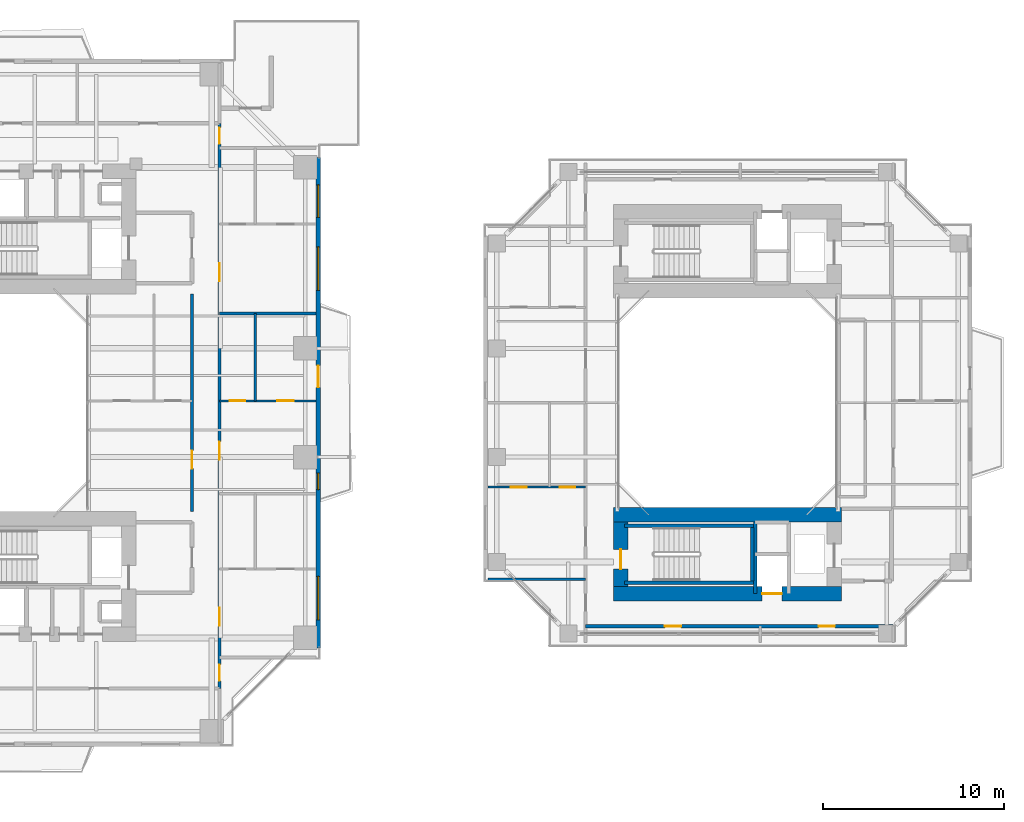
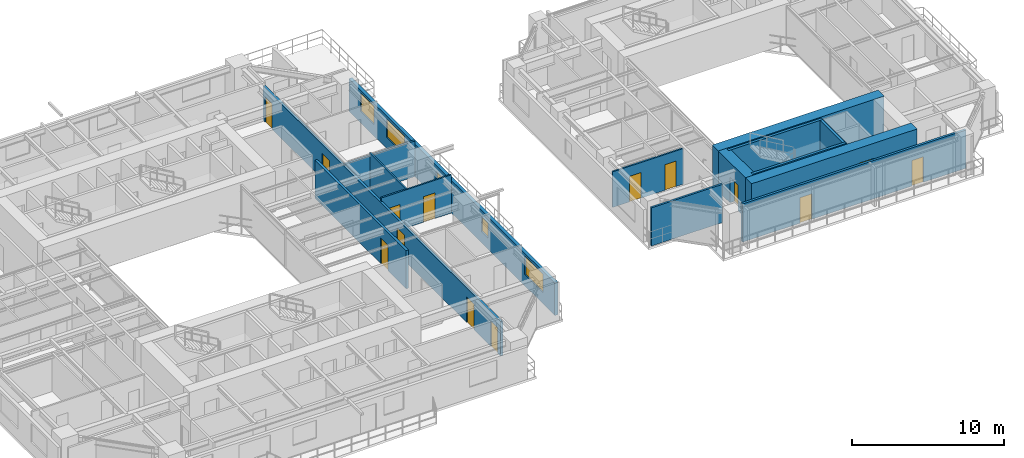
# One storey, part 15 of 23: 16 walls, 15 doors, 4 windows, 19 openings.
"""IFC4 building model written with IfcOpenShell, lengths in metres."""

from ifc_helpers import new_model, si_unit, direction, frame, frame_2d, origin, place, context, subcontext, project, spatial, rectangle, extrude, source, transform, mapped, material, layer, layer_set, type_object, element, fill, save


model = new_model("IFC4")

# Units and contexts
model_context = context("Model", 3, precision=1e-05, world=origin(), true_north=direction((0.0, 1.0)))
body_context = subcontext(model_context, "Body", "Model", "MODEL_VIEW")
ifc_project = project(units=[si_unit("LENGTHUNIT", "METRE"), si_unit("AREAUNIT", "SQUARE_METRE"), si_unit("VOLUMEUNIT", "CUBIC_METRE"), si_unit("PLANEANGLEUNIT", "RADIAN"), si_unit("MASSUNIT", "GRAM", prefix="KILO"), si_unit("THERMODYNAMICTEMPERATUREUNIT", "KELVIN"), si_unit("POWERUNIT", "WATT")], contexts=[model_context])

# Site, building, storey
site_placement = place(None, origin())
site = spatial("IfcSite", under=ifc_project, at=site_placement, CompositionType="ELEMENT")
building_placement = place(site_placement, origin())
building = spatial("IfcBuilding", under=site, at=building_placement, Name="Qiaomeng Ring Towers", CompositionType="ELEMENT")
storey_placement = place(building_placement, frame((0.0, 0.0, 32.75)))
storey = spatial("IfcBuildingStorey", under=building, at=storey_placement, Name="L08", CompositionType="ELEMENT", Elevation=32.75)

# Wall, openings, door, windows
ifc_material_1 = material(Name="Precast concrete C40", Category="concrete")
ifc_layer_1 = layer(ifc_material_1, 0.25, Name="Precast concrete C40")
ifc_layer_set_1 = layer_set([ifc_layer_1], Name="Precast concrete C40")
wall_type_1 = type_object("IfcWallType", Name="ARC-WL-EW1", PredefinedType="STANDARD", material=ifc_layer_set_1)
wall_1_placement = place(storey_placement, frame((37.875, 9.449951171875, 0.0), z_axis=(0.0, 0.0, 1.0), x_axis=(0.0, 1.0, 0.0)))
wall_1 = element("IfcWall", 1, at=wall_1_placement, inside=storey, type_object=wall_type_1, Name="L08 Tower 1 E Exterior Wall", PredefinedType="STANDARD", context=body_context, shape_type="SweptSolid", body=[
    extrude(rectangle(XDim=27.10009765625, YDim=0.25, at=frame_2d((13.550048828125, 0.0))), origin(), (0.0, 0.0, 1.0), 2.610107421875),
])
opening_1_placement = place(wall_1_placement, frame((14.39990234375, 0.0, 0.0)))
opening_1 = element("IfcOpeningElement", 2, at=opening_1_placement, cuts=wall_1, Name="Opening BD1", PredefinedType="OPENING", context=body_context, shape_type="SweptSolid", body=[
    extrude(rectangle(XDim=1.199951171875, YDim=2.10009765625, at=frame_2d((0.60009765625, 1.050048828125))), frame((0.0, 0.135009765625, 0.0), z_axis=(0.0, -1.0, 0.0), x_axis=(1.0, 0.0, 0.0)), (0.0, 0.0, 1.0), 0.27001953125),
])
opening_2_placement = place(wall_1_placement, frame((1.552490234375, 0.0, 0.89990234375)))
opening_2 = element("IfcOpeningElement", 3, at=opening_2_placement, cuts=wall_1, Name="Opening WN6", PredefinedType="OPENING", context=body_context, shape_type="SweptSolid", body=[
    extrude(rectangle(XDim=2.39990234375, YDim=1.5, at=frame_2d((1.199951171875, 0.75))), frame((0.0, 0.135009765625, 0.0), z_axis=(0.0, -1.0, 0.0), x_axis=(1.0, 0.0, 0.0)), (0.0, 0.0, 1.0), 0.27001953125),
])
opening_3_placement = place(wall_1_placement, frame((23.78759765625, 0.0, 0.89990234375)))
opening_3 = element("IfcOpeningElement", 4, at=opening_3_placement, cuts=wall_1, Name="Opening WN1", PredefinedType="OPENING", context=body_context, shape_type="SweptSolid", body=[
    extrude(rectangle(XDim=1.800048828125, YDim=1.5, at=frame_2d((0.89990234375, 0.75))), frame((0.0, 0.135009765625, 0.0), z_axis=(0.0, -1.0, 0.0), x_axis=(1.0, 0.0, 0.0)), (0.0, 0.0, 1.0), 0.27001953125),
])
opening_4_placement = place(wall_1_placement, frame((19.757568359375, 0.0, 0.89990234375)))
opening_4 = element("IfcOpeningElement", 5, at=opening_4_placement, cuts=wall_1, Name="Opening WN6", PredefinedType="OPENING", context=body_context, shape_type="SweptSolid", body=[
    extrude(rectangle(XDim=2.39990234375, YDim=1.5, at=frame_2d((1.199951171875, 0.75))), frame((0.0, 0.135009765625, 0.0), z_axis=(0.0, -1.0, 0.0), x_axis=(1.0, 0.0, 0.0)), (0.0, 0.0, 1.0), 0.27001953125),
])
opening_5_placement = place(wall_1_placement, frame((8.7548828125, 0.0, 0.89990234375)))
opening_5 = element("IfcOpeningElement", 6, at=opening_5_placement, cuts=wall_1, Name="Opening WN5", PredefinedType="OPENING", context=body_context, shape_type="SweptSolid", body=[
    extrude(rectangle(XDim=0.89990234375, YDim=1.199951171875, at=frame_2d((0.449951171875, 0.60009765625))), frame((0.0, 0.135009765625, 0.0), z_axis=(0.0, -1.0, 0.0), x_axis=(1.0, 0.0, 0.0)), (0.0, 0.0, 1.0), 0.27001953125),
])
ifc_material_2 = material(Name="Low-E dark-grey laminated double glazing", Category="glass")
door_type_1 = type_object("IfcDoorType", Name="ARC-DR-BD1", OperationType="NOTDEFINED", PredefinedType="DOOR", material=ifc_material_2)
shared_shape_1 = source(origin(), body_context, "Body", "SweptSolid", [
    extrude(rectangle(XDim=1.199951171875, YDim=2.10009765625, at=frame_2d((0.60009765625, 1.050048828125))), frame((0.0, 0.02490234375, 0.0), z_axis=(0.0, -1.0, 0.0), x_axis=(1.0, 0.0, 0.0)), (0.0, 0.0, 1.0), 0.050048828125),
])
door_1_placement = place(opening_1_placement, origin())
door_1 = element("IfcDoor", 7, at=door_1_placement, inside=storey, type_object=door_type_1, Name="L08 E Balcony Glazed Door", OperationType="SINGLE_SWING_LEFT", OverallHeight=2.10009765625, OverallWidth=1.199951171875, PredefinedType="DOOR", context=body_context, shape_type="MappedRepresentation", body=[
    mapped(shared_shape_1, transform((0.0, 0.0, 0.0), x_axis=(1.0, 0.0, 0.0), y_axis=(0.0, 1.0, 0.0), z_axis=(0.0, 0.0, 1.0), scale=1.0)),
])
fill(opening_1, door_1)
window_type_1 = type_object("IfcWindowType", Name="ARC-WN-6", PartitioningType="TRIPLE_PANEL_VERTICAL", PredefinedType="WINDOW", material=ifc_material_2)
shared_shape_2 = source(origin(), body_context, "Body", "SweptSolid", [
    extrude(rectangle(XDim=2.39990234375, YDim=1.5, at=frame_2d((1.199951171875, 0.75))), frame((0.0, 0.030029296875, 0.0), z_axis=(0.0, -1.0, 0.0), x_axis=(1.0, 0.0, 0.0)), (0.0, 0.0, 1.0), 0.06005859375),
])
window_1_placement = place(opening_2_placement, origin())
window_1 = element("IfcWindow", 8, at=window_1_placement, inside=storey, type_object=window_type_1, Name="L08 Exterior Window WN6", OverallHeight=1.5, OverallWidth=2.39990234375, PartitioningType="TRIPLE_PANEL_VERTICAL", PredefinedType="WINDOW", context=body_context, shape_type="MappedRepresentation", body=[
    mapped(shared_shape_2, transform((0.0, 0.0, 0.0), x_axis=(1.0, 0.0, 0.0), y_axis=(0.0, 1.0, 0.0), z_axis=(0.0, 0.0, 1.0), scale=1.0)),
])
fill(opening_2, window_1)
window_2_placement = place(opening_4_placement, origin())
window_2 = element("IfcWindow", 9, at=window_2_placement, inside=storey, type_object=window_type_1, Name="L08 Exterior Window WN6", OverallHeight=1.5, OverallWidth=2.39990234375, PartitioningType="TRIPLE_PANEL_VERTICAL", PredefinedType="WINDOW", context=body_context, shape_type="MappedRepresentation", body=[
    mapped(shared_shape_2, transform((0.0, 0.0, 0.0), x_axis=(1.0, 0.0, 0.0), y_axis=(0.0, 1.0, 0.0), z_axis=(0.0, 0.0, 1.0), scale=1.0)),
])
fill(opening_4, window_2)
window_type_2 = type_object("IfcWindowType", Name="ARC-WN-1", PartitioningType="DOUBLE_PANEL_VERTICAL", PredefinedType="WINDOW", material=ifc_material_2)
shared_shape_3 = source(origin(), body_context, "Body", "SweptSolid", [
    extrude(rectangle(XDim=1.800048828125, YDim=1.5, at=frame_2d((0.89990234375, 0.75))), frame((0.0, 0.030029296875, 0.0), z_axis=(0.0, -1.0, 0.0), x_axis=(1.0, 0.0, 0.0)), (0.0, 0.0, 1.0), 0.06005859375),
])
window_3_placement = place(opening_3_placement, origin())
window_3 = element("IfcWindow", 10, at=window_3_placement, inside=storey, type_object=window_type_2, Name="L08 Exterior Window WN4", OverallHeight=1.5, OverallWidth=1.800048828125, PartitioningType="TRIPLE_PANEL_VERTICAL", PredefinedType="WINDOW", context=body_context, shape_type="MappedRepresentation", body=[
    mapped(shared_shape_3, transform((0.0, 0.0, 0.0), x_axis=(1.0, 0.0, 0.0), y_axis=(0.0, 1.0, 0.0), z_axis=(0.0, 0.0, 1.0), scale=1.0)),
])
fill(opening_3, window_3)
window_type_3 = type_object("IfcWindowType", Name="ARC-WN-5", PartitioningType="SINGLE_PANEL", PredefinedType="WINDOW", material=ifc_material_2)
shared_shape_4 = source(origin(), body_context, "Body", "SweptSolid", [
    extrude(rectangle(XDim=0.89990234375, YDim=1.199951171875, at=frame_2d((0.449951171875, 0.60009765625))), frame((0.0, 0.030029296875, 0.0), z_axis=(0.0, -1.0, 0.0), x_axis=(1.0, 0.0, 0.0)), (0.0, 0.0, 1.0), 0.06005859375),
])
window_4_placement = place(opening_5_placement, origin())
window_4 = element("IfcWindow", 11, at=window_4_placement, inside=storey, type_object=window_type_3, Name="L08 Exterior Window WN5", OverallHeight=1.199951171875, OverallWidth=0.89990234375, PartitioningType="SINGLE_PANEL", PredefinedType="WINDOW", context=body_context, shape_type="MappedRepresentation", body=[
    mapped(shared_shape_4, transform((0.0, 0.0, 0.0), x_axis=(1.0, 0.0, 0.0), y_axis=(0.0, 1.0, 0.0), z_axis=(0.0, 0.0, 1.0), scale=1.0)),
])
fill(opening_5, window_4)

# Wall, openings, doors
ifc_material_3 = material(Name="Autoclaved aerated concrete block", Category="concrete")
ifc_layer_2 = layer(ifc_material_3, 0.179931640625, Name="Autoclaved aerated concrete block")
ifc_layer_set_2 = layer_set([ifc_layer_2], Name="Autoclaved aerated concrete block")
wall_type_2 = type_object("IfcWallType", Name="ARC-WL-PW2", PredefinedType="PARTITIONING", material=ifc_layer_set_2)
wall_2_placement = place(storey_placement, frame((32.419921875, 7.2099609375, 0.0), z_axis=(0.0, 0.0, 1.0), x_axis=(0.0, 1.0, 0.0)))
wall_2 = element("IfcWall", 12, at=wall_2_placement, inside=storey, type_object=wall_type_2, Name="L08 Interior Wall PW2", PredefinedType="PARTITIONING", context=body_context, shape_type="SweptSolid", body=[
    extrude(rectangle(XDim=31.22998046875, YDim=0.179931640625, at=frame_2d((15.614990234375, 0.0))), origin(), (0.0, 0.0, 1.0), 2.77099609375),
])
opening_6_placement = place(wall_2_placement, frame((30.090087890625, 0.0, 0.0)))
opening_6 = element("IfcOpeningElement", 13, at=opening_6_placement, cuts=wall_2, Name="Opening ID1", PredefinedType="OPENING", context=body_context, shape_type="SweptSolid", body=[
    extrude(rectangle(XDim=0.89990234375, YDim=2.050048828125, at=frame_2d((0.449951171875, 1.02490234375))), frame((0.0, 0.099853515625, 0.0), z_axis=(0.0, -1.0, 0.0), x_axis=(1.0, 0.0, 0.0)), (0.0, 0.0, 1.0), 0.199951171875),
])
opening_7_placement = place(wall_2_placement, frame((0.4150390625, 0.0, 0.0)))
opening_7 = element("IfcOpeningElement", 14, at=opening_7_placement, cuts=wall_2, Name="Opening ID1", PredefinedType="OPENING", context=body_context, shape_type="SweptSolid", body=[
    extrude(rectangle(XDim=0.89990234375, YDim=2.050048828125, at=frame_2d((0.449951171875, 1.02490234375))), frame((0.0, 0.099853515625, 0.0), z_axis=(0.0, -1.0, 0.0), x_axis=(1.0, 0.0, 0.0)), (0.0, 0.0, 1.0), 0.199951171875),
])
opening_8_placement = place(wall_2_placement, frame((3.465087890625, 0.0, 0.0)))
opening_8 = element("IfcOpeningElement", 15, at=opening_8_placement, cuts=wall_2, Name="Opening FD4", PredefinedType="OPENING", context=body_context, shape_type="SweptSolid", body=[
    extrude(rectangle(XDim=1.0, YDim=2.050048828125, at=frame_2d((0.5, 1.02490234375))), frame((0.0, 0.099853515625, 0.0), z_axis=(0.0, -1.0, 0.0), x_axis=(1.0, 0.0, 0.0)), (0.0, 0.0, 1.0), 0.199951171875),
])
opening_9_placement = place(wall_2_placement, frame((12.635009765625, 0.0, 0.0)))
opening_9 = element("IfcOpeningElement", 16, at=opening_9_placement, cuts=wall_2, Name="Opening FD4", PredefinedType="OPENING", context=body_context, shape_type="SweptSolid", body=[
    extrude(rectangle(XDim=1.0, YDim=2.050048828125, at=frame_2d((0.5, 1.02490234375))), frame((0.0, 0.099853515625, 0.0), z_axis=(0.0, -1.0, 0.0), x_axis=(1.0, 0.0, 0.0)), (0.0, 0.0, 1.0), 0.199951171875),
])
opening_10_placement = place(wall_2_placement, frame((22.5, 0.0, 0.0)))
opening_10 = element("IfcOpeningElement", 17, at=opening_10_placement, cuts=wall_2, Name="Opening FD4", PredefinedType="OPENING", context=body_context, shape_type="SweptSolid", body=[
    extrude(rectangle(XDim=1.0, YDim=2.050048828125, at=frame_2d((0.5, 1.02490234375))), frame((0.0, 0.099853515625, 0.0), z_axis=(0.0, -1.0, 0.0), x_axis=(1.0, 0.0, 0.0)), (0.0, 0.0, 1.0), 0.199951171875),
])
ifc_material_4 = material(Name="Engineered fire-rated oak timber", Category="wood")
door_type_2 = type_object("IfcDoorType", Name="ARC-DR-FD4", OperationType="NOTDEFINED", PredefinedType="DOOR", material=ifc_material_4)
shared_shape_5 = source(origin(), body_context, "Body", "SweptSolid", [
    extrude(rectangle(XDim=1.0, YDim=2.050048828125, at=frame_2d((0.5, 1.02490234375))), frame((0.0, 0.02490234375, 0.0), z_axis=(0.0, -1.0, 0.0), x_axis=(1.0, 0.0, 0.0)), (0.0, 0.0, 1.0), 0.050048828125),
])
door_2_placement = place(opening_8_placement, origin())
door_2 = element("IfcDoor", 18, at=door_2_placement, inside=storey, type_object=door_type_2, Name="L08 Door FD4", OperationType="SINGLE_SWING_RIGHT", OverallHeight=2.050048828125, OverallWidth=1.0, PredefinedType="DOOR", context=body_context, shape_type="MappedRepresentation", body=[
    mapped(shared_shape_5, transform((0.0, 0.0, 0.0), x_axis=(1.0, 0.0, 0.0), y_axis=(0.0, 1.0, 0.0), z_axis=(0.0, 0.0, 1.0), scale=1.0)),
])
fill(opening_8, door_2)
door_3_placement = place(opening_9_placement, origin())
door_3 = element("IfcDoor", 19, at=door_3_placement, inside=storey, type_object=door_type_2, Name="L08 Door FD4", OperationType="SINGLE_SWING_LEFT", OverallHeight=2.050048828125, OverallWidth=1.0, PredefinedType="DOOR", context=body_context, shape_type="MappedRepresentation", body=[
    mapped(shared_shape_5, transform((0.0, 0.0, 0.0), x_axis=(1.0, 0.0, 0.0), y_axis=(0.0, 1.0, 0.0), z_axis=(0.0, 0.0, 1.0), scale=1.0)),
])
fill(opening_9, door_3)
door_4_placement = place(opening_10_placement, origin())
door_4 = element("IfcDoor", 20, at=door_4_placement, inside=storey, type_object=door_type_2, Name="L08 Door FD4", OperationType="SINGLE_SWING_RIGHT", OverallHeight=2.050048828125, OverallWidth=1.0, PredefinedType="DOOR", context=body_context, shape_type="MappedRepresentation", body=[
    mapped(shared_shape_5, transform((0.0, 0.0, 0.0), x_axis=(1.0, 0.0, 0.0), y_axis=(0.0, 1.0, 0.0), z_axis=(0.0, 0.0, 1.0), scale=1.0)),
])
fill(opening_10, door_4)
ifc_material_5 = material(Name="Engineered oak timber", Category="wood")
door_type_3 = type_object("IfcDoorType", Name="ARC-DR-ID1", OperationType="NOTDEFINED", PredefinedType="DOOR", material=ifc_material_5)
shared_shape_6 = source(origin(), body_context, "Body", "SweptSolid", [
    extrude(rectangle(XDim=0.89990234375, YDim=2.050048828125, at=frame_2d((0.449951171875, 1.02490234375))), frame((0.0, 0.02490234375, 0.0), z_axis=(0.0, -1.0, 0.0), x_axis=(1.0, 0.0, 0.0)), (0.0, 0.0, 1.0), 0.050048828125),
])
door_5_placement = place(opening_6_placement, origin())
door_5 = element("IfcDoor", 21, at=door_5_placement, inside=storey, type_object=door_type_3, Name="L08 Door ID1", OperationType="SINGLE_SWING_RIGHT", OverallHeight=2.050048828125, OverallWidth=0.89990234375, PredefinedType="DOOR", context=body_context, shape_type="MappedRepresentation", body=[
    mapped(shared_shape_6, transform((0.0, 0.0, 0.0), x_axis=(1.0, 0.0, 0.0), y_axis=(0.0, 1.0, 0.0), z_axis=(0.0, 0.0, 1.0), scale=1.0)),
])
fill(opening_6, door_5)
door_6_placement = place(opening_7_placement, origin())
door_6 = element("IfcDoor", 22, at=door_6_placement, inside=storey, type_object=door_type_3, Name="L08 Door ID1", OperationType="SINGLE_SWING_LEFT", OverallHeight=2.050048828125, OverallWidth=0.89990234375, PredefinedType="DOOR", context=body_context, shape_type="MappedRepresentation", body=[
    mapped(shared_shape_6, transform((0.0, 0.0, 0.0), x_axis=(1.0, 0.0, 0.0), y_axis=(0.0, 1.0, 0.0), z_axis=(0.0, 0.0, 1.0), scale=1.0)),
])
fill(opening_7, door_6)

# Wall, opening, door
wall_3_placement = place(storey_placement, frame((30.89990234375, 17.0, 0.0), z_axis=(0.0, 0.0, 1.0), x_axis=(0.0, 1.0, 0.0)))
wall_3 = element("IfcWall", 23, at=wall_3_placement, inside=storey, type_object=wall_type_2, Name="L08 Interior Wall PW2", PredefinedType="PARTITIONING", context=body_context, shape_type="SweptSolid", body=[
    extrude(rectangle(XDim=12.0, YDim=0.179931640625, at=frame_2d((6.0, 0.0))), origin(), (0.0, 0.0, 1.0), 3.070068359375),
])
opening_11_placement = place(wall_3_placement, frame((2.360107421875, 0.0, 0.0)))
opening_11 = element("IfcOpeningElement", 24, at=opening_11_placement, cuts=wall_3, Name="Opening FD4", PredefinedType="OPENING", context=body_context, shape_type="SweptSolid", body=[
    extrude(rectangle(XDim=1.0, YDim=2.050048828125, at=frame_2d((0.5, 1.02490234375))), frame((0.0, 0.099853515625, 0.0), z_axis=(0.0, -1.0, 0.0), x_axis=(1.0, 0.0, 0.0)), (0.0, 0.0, 1.0), 0.199951171875),
])
door_7_placement = place(opening_11_placement, origin())
door_7 = element("IfcDoor", 25, at=door_7_placement, inside=storey, type_object=door_type_2, Name="L08 Door FD4", OperationType="SINGLE_SWING_LEFT", OverallHeight=2.050048828125, OverallWidth=1.0, PredefinedType="DOOR", context=body_context, shape_type="MappedRepresentation", body=[
    mapped(shared_shape_5, transform((0.0, 0.0, 0.0), x_axis=(1.0, 0.0, 0.0), y_axis=(0.0, 1.0, 0.0), z_axis=(0.0, 0.0, 1.0), scale=1.0)),
])
fill(opening_11, door_7)

# Wall, openings, doors
wall_4_placement = place(storey_placement, frame((52.64990234375, 10.64990234375, 0.0), z_axis=(0.0, 0.0, 1.0), x_axis=(1.0, 0.0, 0.0)))
wall_4 = element("IfcWall", 26, at=wall_4_placement, inside=storey, type_object=wall_type_2, Name="L08 Interior Wall PW2", PredefinedType="PARTITIONING", context=body_context, shape_type="SweptSolid", body=[
    extrude(rectangle(XDim=17.0, YDim=0.179931640625, at=frame_2d((8.5, 0.0))), origin(), (0.0, 0.0, 1.0), 3.070068359375),
])
opening_12_placement = place(wall_4_placement, frame((4.375, 0.0, 0.0)))
opening_12 = element("IfcOpeningElement", 27, at=opening_12_placement, cuts=wall_4, Name="Opening ID1", PredefinedType="OPENING", context=body_context, shape_type="SweptSolid", body=[
    extrude(rectangle(XDim=0.89990234375, YDim=2.050048828125, at=frame_2d((0.449951171875, 1.02490234375))), frame((0.0, 0.099853515625, 0.0), z_axis=(0.0, -1.0, 0.0), x_axis=(1.0, 0.0, 0.0)), (0.0, 0.0, 1.0), 0.199951171875),
])
opening_13_placement = place(wall_4_placement, frame((12.875, 0.0, 0.0)))
opening_13 = element("IfcOpeningElement", 28, at=opening_13_placement, cuts=wall_4, Name="Opening ID1", PredefinedType="OPENING", context=body_context, shape_type="SweptSolid", body=[
    extrude(rectangle(XDim=0.89990234375, YDim=2.050048828125, at=frame_2d((0.449951171875, 1.02490234375))), frame((0.0, 0.099853515625, 0.0), z_axis=(0.0, -1.0, 0.0), x_axis=(1.0, 0.0, 0.0)), (0.0, 0.0, 1.0), 0.199951171875),
])
door_8_placement = place(opening_12_placement, origin())
door_8 = element("IfcDoor", 29, at=door_8_placement, inside=storey, type_object=door_type_3, Name="L08 Door ID1", OperationType="SINGLE_SWING_RIGHT", OverallHeight=2.050048828125, OverallWidth=0.89990234375, PredefinedType="DOOR", context=body_context, shape_type="MappedRepresentation", body=[
    mapped(shared_shape_6, transform((0.0, 0.0, 0.0), x_axis=(1.0, 0.0, 0.0), y_axis=(0.0, 1.0, 0.0), z_axis=(0.0, 0.0, 1.0), scale=1.0)),
])
fill(opening_12, door_8)
door_9_placement = place(opening_13_placement, origin())
door_9 = element("IfcDoor", 30, at=door_9_placement, inside=storey, type_object=door_type_3, Name="L08 Door ID1", OperationType="SINGLE_SWING_LEFT", OverallHeight=2.050048828125, OverallWidth=0.89990234375, PredefinedType="DOOR", context=body_context, shape_type="MappedRepresentation", body=[
    mapped(shared_shape_6, transform((0.0, 0.0, 0.0), x_axis=(1.0, 0.0, 0.0), y_axis=(0.0, 1.0, 0.0), z_axis=(0.0, 0.0, 1.0), scale=1.0)),
])
fill(opening_13, door_9)

# Walls
ifc_material_6 = material(Name="Gypsum fireboard steel-stud partition", Category="steel")
ifc_layer_3 = layer(ifc_material_6, 0.14990234375, Name="Gypsum fireboard steel-stud partition")
ifc_layer_set_3 = layer_set([ifc_layer_3], Name="Gypsum fireboard steel-stud partition")
wall_type_3 = type_object("IfcWallType", Name="ARC-WL-PW3", PredefinedType="PARTITIONING", material=ifc_layer_set_3)
wall_5_placement = place(storey_placement, frame((32.419921875, 27.929931640625, 0.0), z_axis=(0.0, 0.0, 1.0), x_axis=(1.0, 0.0, 0.0)))
element("IfcWall", 31, at=wall_5_placement, inside=storey, type_object=wall_type_3, Name="L08 Interior Wall PW3", PredefinedType="PARTITIONING", context=body_context, shape_type="SweptSolid", body=[
    extrude(rectangle(XDim=5.330078125, YDim=0.14990234375, at=frame_2d((2.6650390625, 0.0))), origin(), (0.0, 0.0, 1.0), 2.864990234375),
])
wall_6_placement = place(storey_placement, frame((47.25, 13.25, 0.0), z_axis=(0.0, 0.0, 1.0), x_axis=(1.0, 0.0, 0.0)))
element("IfcWall", 32, at=wall_6_placement, inside=storey, type_object=wall_type_3, Name="L08 Interior Wall PW3", PredefinedType="PARTITIONING", context=body_context, shape_type="SweptSolid", body=[
    extrude(rectangle(XDim=5.39990234375, YDim=0.14990234375, at=frame_2d((2.699951171875, 0.0))), origin(), (0.0, 0.0, 1.0), 3.070068359375),
])

# Wall, openings, doors
ifc_material_7 = material(Name="Moisture-resistant gypsum steel-stud partition", Category="steel")
ifc_layer_4 = layer(ifc_material_7, 0.1201171875, Name="Moisture-resistant gypsum steel-stud partition")
ifc_layer_set_4 = layer_set([ifc_layer_4], Name="Moisture-resistant gypsum steel-stud partition")
wall_type_4 = type_object("IfcWallType", Name="ARC-WL-PW4", PredefinedType="PLUMBINGWALL", material=ifc_layer_set_4)
wall_7_placement = place(storey_placement, frame((32.419921875, 23.10009765625, 0.0), z_axis=(0.0, 0.0, 1.0), x_axis=(1.0, 0.0, 0.0)))
wall_7 = element("IfcWall", 33, at=wall_7_placement, inside=storey, type_object=wall_type_4, Name="L08 Interior Wall PW4", PredefinedType="PLUMBINGWALL", context=body_context, shape_type="SweptSolid", body=[
    extrude(rectangle(XDim=5.330078125, YDim=0.1201171875, at=frame_2d((2.6650390625, 0.0))), origin(), (0.0, 0.0, 1.0), 3.070068359375),
])
opening_14_placement = place(wall_7_placement, frame((0.570068359375, 0.0, 0.0)))
opening_14 = element("IfcOpeningElement", 34, at=opening_14_placement, cuts=wall_7, Name="Opening ID2", PredefinedType="OPENING", context=body_context, shape_type="SweptSolid", body=[
    extrude(rectangle(XDim=0.85009765625, YDim=2.050048828125, at=frame_2d((0.425048828125, 1.02490234375))), frame((0.0, 0.070068359375, 0.0), z_axis=(0.0, -1.0, 0.0), x_axis=(1.0, 0.0, 0.0)), (0.0, 0.0, 1.0), 0.14013671875),
])
opening_15_placement = place(wall_7_placement, frame((3.18994140625, 0.0, 0.0)))
opening_15 = element("IfcOpeningElement", 35, at=opening_15_placement, cuts=wall_7, Name="Opening ID1", PredefinedType="OPENING", context=body_context, shape_type="SweptSolid", body=[
    extrude(rectangle(XDim=0.89990234375, YDim=2.050048828125, at=frame_2d((0.449951171875, 1.02490234375))), frame((0.0, 0.070068359375, 0.0), z_axis=(0.0, -1.0, 0.0), x_axis=(1.0, 0.0, 0.0)), (0.0, 0.0, 1.0), 0.14013671875),
])
ifc_material_8 = material(Name="Moisture-resistant engineered timber", Category="wood")
door_type_4 = type_object("IfcDoorType", Name="ARC-DR-ID2", OperationType="NOTDEFINED", PredefinedType="DOOR", material=ifc_material_8)
shared_shape_7 = source(origin(), body_context, "Body", "SweptSolid", [
    extrude(rectangle(XDim=0.85009765625, YDim=2.050048828125, at=frame_2d((0.425048828125, 1.02490234375))), frame((0.0, 0.02490234375, 0.0), z_axis=(0.0, -1.0, 0.0), x_axis=(1.0, 0.0, 0.0)), (0.0, 0.0, 1.0), 0.050048828125),
])
door_10_placement = place(opening_14_placement, origin())
door_10 = element("IfcDoor", 36, at=door_10_placement, inside=storey, type_object=door_type_4, Name="L08 Door ID2", OperationType="SINGLE_SWING_LEFT", OverallHeight=2.050048828125, OverallWidth=0.85009765625, PredefinedType="DOOR", context=body_context, shape_type="MappedRepresentation", body=[
    mapped(shared_shape_7, transform((0.0, 0.0, 0.0), x_axis=(1.0, 0.0, 0.0), y_axis=(0.0, 1.0, 0.0), z_axis=(0.0, 0.0, 1.0), scale=1.0)),
])
fill(opening_14, door_10)
door_11_placement = place(opening_15_placement, origin())
door_11 = element("IfcDoor", 37, at=door_11_placement, inside=storey, type_object=door_type_3, Name="L08 Door ID1", OperationType="SINGLE_SWING_RIGHT", OverallHeight=2.050048828125, OverallWidth=0.89990234375, PredefinedType="DOOR", context=body_context, shape_type="MappedRepresentation", body=[
    mapped(shared_shape_6, transform((0.0, 0.0, 0.0), x_axis=(1.0, 0.0, 0.0), y_axis=(0.0, 1.0, 0.0), z_axis=(0.0, 0.0, 1.0), scale=1.0)),
])
fill(opening_15, door_11)

# Wall
wall_8_placement = place(storey_placement, frame((34.389892578125, 23.10009765625, 0.0), z_axis=(0.0, 0.0, 1.0), x_axis=(0.0, 1.0, 0.0)))
element("IfcWall", 38, at=wall_8_placement, inside=storey, type_object=wall_type_4, Name="L08 Interior Wall PW4", PredefinedType="PLUMBINGWALL", context=body_context, shape_type="SweptSolid", body=[
    extrude(rectangle(XDim=4.829833984375, YDim=0.1201171875, at=frame_2d((2.4150390625, 0.0))), origin(), (0.0, 0.0, 1.0), 3.070068359375),
])

# Wall, openings, doors
wall_9_placement = place(storey_placement, frame((47.25, 18.340087890625, 0.0), z_axis=(0.0, 0.0, 1.0), x_axis=(1.0, 0.0, 0.0)))
wall_9 = element("IfcWall", 39, at=wall_9_placement, inside=storey, type_object=wall_type_4, Name="L08 Interior Wall PW4", PredefinedType="PLUMBINGWALL", context=body_context, shape_type="SweptSolid", body=[
    extrude(rectangle(XDim=5.39990234375, YDim=0.1201171875, at=frame_2d((2.699951171875, 0.0))), origin(), (0.0, 0.0, 1.0), 2.864990234375),
])
opening_16_placement = place(wall_9_placement, frame((1.260009765625, 0.0, 0.0)))
opening_16 = element("IfcOpeningElement", 40, at=opening_16_placement, cuts=wall_9, Name="Opening ID1", PredefinedType="OPENING", context=body_context, shape_type="SweptSolid", body=[
    extrude(rectangle(XDim=0.89990234375, YDim=2.050048828125, at=frame_2d((0.449951171875, 1.02490234375))), frame((0.0, 0.070068359375, 0.0), z_axis=(0.0, -1.0, 0.0), x_axis=(1.0, 0.0, 0.0)), (0.0, 0.0, 1.0), 0.14013671875),
])
opening_17_placement = place(wall_9_placement, frame((3.965087890625, 0.0, 0.0)))
opening_17 = element("IfcOpeningElement", 41, at=opening_17_placement, cuts=wall_9, Name="Opening ID2", PredefinedType="OPENING", context=body_context, shape_type="SweptSolid", body=[
    extrude(rectangle(XDim=0.85009765625, YDim=2.050048828125, at=frame_2d((0.425048828125, 1.02490234375))), frame((0.0, 0.070068359375, 0.0), z_axis=(0.0, -1.0, 0.0), x_axis=(1.0, 0.0, 0.0)), (0.0, 0.0, 1.0), 0.14013671875),
])
door_12_placement = place(opening_17_placement, origin())
door_12 = element("IfcDoor", 42, at=door_12_placement, inside=storey, type_object=door_type_4, Name="L08 Door ID2", OperationType="SINGLE_SWING_LEFT", OverallHeight=2.050048828125, OverallWidth=0.85009765625, PredefinedType="DOOR", context=body_context, shape_type="MappedRepresentation", body=[
    mapped(shared_shape_7, transform((0.0, 0.0, 0.0), x_axis=(1.0, 0.0, 0.0), y_axis=(0.0, 1.0, 0.0), z_axis=(0.0, 0.0, 1.0), scale=1.0)),
])
fill(opening_17, door_12)
door_13_placement = place(opening_16_placement, origin())
door_13 = element("IfcDoor", 43, at=door_13_placement, inside=storey, type_object=door_type_3, Name="L08 Door ID1", OperationType="SINGLE_SWING_RIGHT", OverallHeight=2.050048828125, OverallWidth=0.89990234375, PredefinedType="DOOR", context=body_context, shape_type="MappedRepresentation", body=[
    mapped(shared_shape_6, transform((0.0, 0.0, 0.0), x_axis=(1.0, 0.0, 0.0), y_axis=(0.0, 1.0, 0.0), z_axis=(0.0, 0.0, 1.0), scale=1.0)),
])
fill(opening_16, door_13)

# Walls
ifc_material_9 = material(Name="Concrete C40", Category="concrete")
ifc_layer_5 = layer(ifc_material_9, 0.199951171875, Name="Concrete C40")
ifc_layer_set_5 = layer_set([ifc_layer_5], Name="Concrete C40")
wall_type_5 = type_object("IfcWallType", Name="STR-WL-STSHAFT", PredefinedType="SHEAR", material=ifc_layer_set_5)
wall_10_placement = place(storey_placement, frame((62.02001953125, 12.449951171875, 0.0), z_axis=(0.0, 0.0, 1.0), x_axis=(0.0, 1.0, 0.0)))
element("IfcWall", 44, at=wall_10_placement, inside=storey, type_object=wall_type_5, Name="L08 Companion Lift Shaft West Wall S", PredefinedType="SHEAR", context=body_context, shape_type="SweptSolid", body=[
    extrude(rectangle(XDim=3.949951171875, YDim=0.179931640625, at=frame_2d((1.97509765625, 0.0))), origin(), (0.0, 0.0, 1.0), 3.070068359375),
])
for number, where, z_axis, x_axis, name in (
    (45, (54.800048828125, 13.06005859375, 0.0), (0.0, 0.0, 1.0), (1.0, 0.0, 0.0), "L08 Stair ST6 South Shaft Shear Wall"),
    (46, (54.800048828125, 16.199951171875, 0.0), (0.0, 0.0, 1.0), (1.0, 0.0, 0.0), "L08 Stair ST6 North Shaft Shear Wall"),
):
    element("IfcWall", number, at=place(storey_placement, frame(where, z_axis=z_axis, x_axis=x_axis)), inside=storey, type_object=wall_type_5, Name=name, PredefinedType="SHEAR", context=body_context, shape_type="SweptSolid", body=[
        extrude(rectangle(XDim=7.14990234375, YDim=0.199951171875, at=frame_2d((3.574951171875, 0.0))), origin(), (0.0, 0.0, 1.0), 3.25),
    ])
wall_11_placement = place(storey_placement, frame((61.85009765625, 13.159912109375, 0.0), z_axis=(0.0, 0.0, 1.0), x_axis=(0.0, 1.0, 0.0)))
element("IfcWall", 47, at=wall_11_placement, inside=storey, type_object=wall_type_5, Name="L08 Stair ST6 East Shaft Shear Wall", PredefinedType="SHEAR", context=body_context, shape_type="SweptSolid", body=[
    extrude(rectangle(XDim=2.940185546875, YDim=0.199951171875, at=frame_2d((1.47021484375, 0.0))), origin(), (0.0, 0.0, 1.0), 3.25),
])

# Wall, opening, door
ifc_material_10 = material(Name="Concrete C60", Category="concrete")
ifc_layer_6 = layer(ifc_material_10, 0.800048828125, Name="Concrete C60")
ifc_layer_set_6 = layer_set([ifc_layer_6], Name="Concrete C60")
wall_type_6 = type_object("IfcWallType", Name="STR-WL-SW1", PredefinedType="SHEAR", material=ifc_layer_set_6)
wall_12_placement = place(storey_placement, frame((54.199951171875, 12.449951171875, 0.0), z_axis=(0.0, 0.0, 1.0), x_axis=(1.0, 0.0, 0.0)))
wall_12 = element("IfcWall", 48, at=wall_12_placement, inside=storey, type_object=wall_type_6, Name="L08 T2SC south core shear wall", PredefinedType="SHEAR", context=body_context, shape_type="SweptSolid", body=[
    extrude(rectangle(XDim=12.60009765625, YDim=0.800048828125, at=frame_2d((6.300048828125, 0.0))), origin(), (0.0, 0.0, 1.0), 3.25),
])
opening_18_placement = place(wall_12_placement, frame((8.199951171875, 0.0, 0.0)))
opening_18 = element("IfcOpeningElement", 49, at=opening_18_placement, cuts=wall_12, Name="Opening LD1", PredefinedType="OPENING", context=body_context, shape_type="SweptSolid", body=[
    extrude(rectangle(XDim=1.10009765625, YDim=2.050048828125, at=frame_2d((0.550048828125, 1.02490234375))), frame((0.0, 0.409912109375, 0.0), z_axis=(0.0, -1.0, 0.0), x_axis=(1.0, 0.0, 0.0)), (0.0, 0.0, 1.0), 0.820068359375),
])
ifc_material_11 = material(Name="Stainless steel 316", Category="steel")
door_type_5 = type_object("IfcDoorType", Name="ARC-DR-LD1", OperationType="NOTDEFINED", PredefinedType="DOOR", material=ifc_material_11)
shared_shape_8 = source(origin(), body_context, "Body", "SweptSolid", [
    extrude(rectangle(XDim=1.10009765625, YDim=2.050048828125, at=frame_2d((0.550048828125, 1.02490234375))), frame((0.0, 0.02490234375, 0.0), z_axis=(0.0, -1.0, 0.0), x_axis=(1.0, 0.0, 0.0)), (0.0, 0.0, 1.0), 0.050048828125),
])
door_14_placement = place(opening_18_placement, origin())
door_14 = element("IfcDoor", 50, at=door_14_placement, inside=storey, type_object=door_type_5, Name="L08 Companion Lift LP8 Landing Door", OperationType="SLIDING_TO_RIGHT", OverallHeight=2.050048828125, OverallWidth=1.10009765625, PredefinedType="DOOR", context=body_context, shape_type="MappedRepresentation", body=[
    mapped(shared_shape_8, transform((0.0, 0.0, 0.0), x_axis=(1.0, 0.0, 0.0), y_axis=(0.0, 1.0, 0.0), z_axis=(0.0, 0.0, 1.0), scale=1.0)),
])
fill(opening_18, door_14)

# Wall
wall_13_placement = place(storey_placement, frame((54.199951171875, 16.800048828125, 0.0), z_axis=(0.0, 0.0, 1.0), x_axis=(1.0, 0.0, 0.0)))
element("IfcWall", 51, at=wall_13_placement, inside=storey, type_object=wall_type_6, Name="L08 T2SC north core shear wall", PredefinedType="SHEAR", context=body_context, shape_type="SweptSolid", body=[
    extrude(rectangle(XDim=12.60009765625, YDim=0.800048828125, at=frame_2d((6.300048828125, 0.0))), origin(), (0.0, 0.0, 1.0), 3.25),
])

# Wall, opening, door
wall_14_placement = place(storey_placement, frame((54.60009765625, 12.85009765625, 0.0), z_axis=(0.0, 0.0, 1.0), x_axis=(0.0, 1.0, 0.0)))
wall_14 = element("IfcWall", 52, at=wall_14_placement, inside=storey, type_object=wall_type_6, Name="L08 T2SC west core shear wall", PredefinedType="SHEAR", context=body_context, shape_type="SweptSolid", body=[
    extrude(rectangle(XDim=3.5498046875, YDim=0.800048828125, at=frame_2d((1.77490234375, 0.0))), origin(), (0.0, 0.0, 1.0), 3.25),
])
opening_19_placement = place(wall_14_placement, frame((0.949951171875, 0.0, 0.0)))
opening_19 = element("IfcOpeningElement", 53, at=opening_19_placement, cuts=wall_14, Name="Opening FD3", PredefinedType="OPENING", context=body_context, shape_type="SweptSolid", body=[
    extrude(rectangle(XDim=1.10009765625, YDim=2.050048828125, at=frame_2d((0.550048828125, 1.02490234375))), frame((0.0, 0.409912109375, 0.0), z_axis=(0.0, -1.0, 0.0), x_axis=(1.0, 0.0, 0.0)), (0.0, 0.0, 1.0), 0.820068359375),
])
ifc_material_12 = material(Name="Galvanised steel", Category="steel")
door_type_6 = type_object("IfcDoorType", Name="ARC-DR-FD3", OperationType="NOTDEFINED", PredefinedType="DOOR", material=ifc_material_12)
door_15_placement = place(opening_19_placement, origin())
door_15 = element("IfcDoor", 54, at=door_15_placement, inside=storey, type_object=door_type_6, Name="L08 Stair ST6 Exit Door", OperationType="SINGLE_SWING_LEFT", OverallHeight=2.050048828125, OverallWidth=1.10009765625, PredefinedType="DOOR", context=body_context, shape_type="MappedRepresentation", body=[
    mapped(shared_shape_8, transform((0.0, 0.0, 0.0), x_axis=(1.0, 0.0, 0.0), y_axis=(0.0, 1.0, 0.0), z_axis=(0.0, 0.0, 1.0), scale=1.0)),
])
fill(opening_19, door_15)

save(model, "model.ifc")
